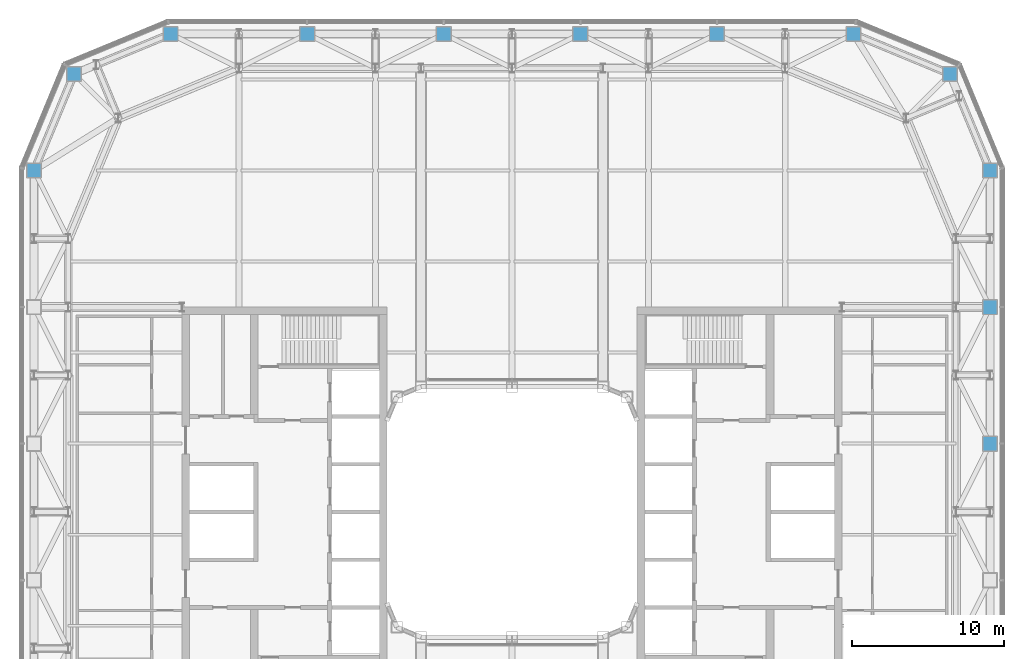
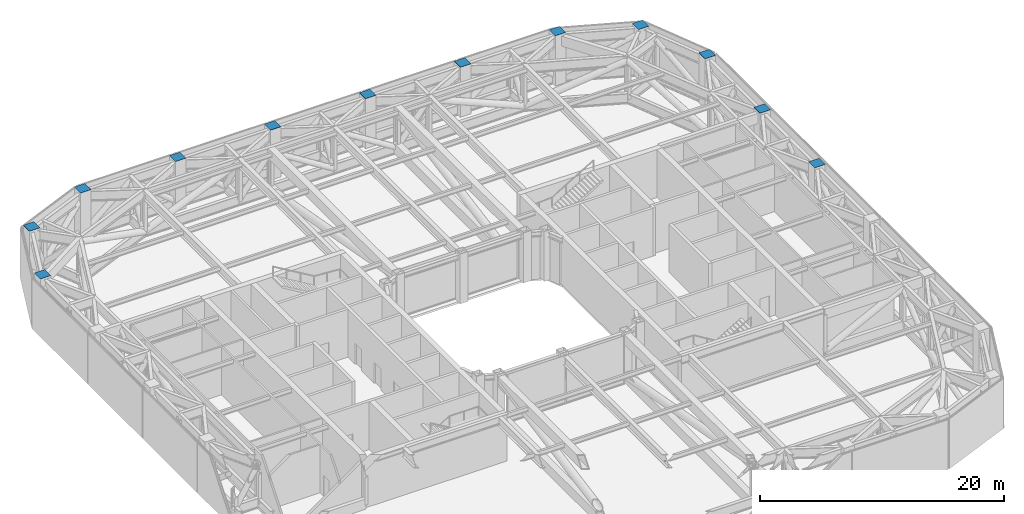
# One storey, part 19 of 33: 12 discrete accessories.
"""IFC4 building model written with IfcOpenShell, lengths in metres."""

from ifc_helpers import new_model, si_unit, direction, frame, origin, origin_2d, place, context, subcontext, project, spatial, rectangle, extrude, material, layer, layer_set, type_object, element, save


model = new_model("IFC4")

# Units and contexts
model_context = context("Model", 3, precision=1e-05, world=origin(), true_north=direction((0.0, 1.0)))
body_context = subcontext(model_context, "Body", "Model", "MODEL_VIEW")
ifc_project = project(units=[si_unit("LENGTHUNIT", "METRE"), si_unit("AREAUNIT", "SQUARE_METRE"), si_unit("VOLUMEUNIT", "CUBIC_METRE"), si_unit("PLANEANGLEUNIT", "RADIAN"), si_unit("MASSUNIT", "GRAM", prefix="KILO")], contexts=[model_context])

# Site, building, storey
site_placement = place(None, origin())
site = spatial("IfcSite", under=ifc_project, at=site_placement, CompositionType="ELEMENT")
building_placement = place(site_placement, origin())
building = spatial("IfcBuilding", under=site, at=building_placement, Name="Siwar Civic Tower", CompositionType="ELEMENT")
storey_placement = place(building_placement, frame((0.0, 0.0, 94.199951171875)))
storey = spatial("IfcBuildingStorey", under=building, at=storey_placement, Name="L20", CompositionType="ELEMENT", Elevation=94.199951171875)

# Discrete accessories
ifc_material = material(Name="Steel S355", Category="steel")
ifc_layer = layer(ifc_material, 0.02001953125)
ifc_layer_set = layer_set([ifc_layer], Name="Steel S355")
discrete_accessory_type = type_object("IfcDiscreteAccessoryType", Name="STR-END-CAP", PredefinedType="USERDEFINED", material=ifc_layer_set)
for number, where, z_axis, x_axis, name in (
    (1, (31.5, 4.5, 5.0), (0.0, 0.0, 1.0), (1.0, 0.0, 0.0), "End cap plate L20 col E-3"),
    (2, (31.5, 13.5, 5.0), (0.0, 0.0, 1.0), (1.0, 0.0, 0.0), "End cap plate L20 col E-4"),
    (3, (31.5, 22.5, 5.0), (0.0, 0.0, 1.0), (1.0, 0.0, 0.0), "End cap plate L20 col NE1-0"),
    (4, (28.864013671875, 28.864013671875, 5.0), (0.0, 0.0, 1.0), (1.0, 0.0, 0.0), "End cap plate L20 col NE2-0"),
    (5, (22.5, 31.5, 5.0), (0.0, 0.0, 1.0), (1.0, 0.0, 0.0), "End cap plate L20 col N-0"),
    (6, (13.5, 31.5, 5.0), (0.0, 0.0, 1.0), (1.0, 0.0, 0.0), "End cap plate L20 col N-1"),
    (7, (4.5, 31.5, 5.0), (0.0, 0.0, 1.0), (1.0, 0.0, 0.0), "End cap plate L20 col N-2"),
    (8, (-4.5, 31.5, 5.0), (0.0, 0.0, 1.0), (1.0, 0.0, 0.0), "End cap plate L20 col N-3"),
    (9, (-13.5, 31.5, 5.0), (0.0, 0.0, 1.0), (1.0, 0.0, 0.0), "End cap plate L20 col N-4"),
    (10, (-22.5, 31.5, 5.0), (0.0, 0.0, 1.0), (1.0, 0.0, 0.0), "End cap plate L20 col NW1-0"),
    (11, (-28.864013671875, 28.864013671875, 5.0), (0.0, 0.0, 1.0), (1.0, 0.0, 0.0), "End cap plate L20 col NW2-0"),
    (12, (-31.5, 22.5, 5.0), (0.0, 0.0, 1.0), (1.0, 0.0, 0.0), "End cap plate L20 col W-0"),
):
    element("IfcDiscreteAccessory", number, at=place(storey_placement, frame(where, z_axis=z_axis, x_axis=x_axis)), inside=storey, type_object=discrete_accessory_type, Name=name, ObjectType="END CAP PLATE", PredefinedType="USERDEFINED", context=body_context, shape_type="SweptSolid", body=[
        extrude(rectangle(XDim=1.0, YDim=1.0, at=origin_2d()), origin(), (0.0, 0.0, 1.0), 0.02001953125),
    ])

save(model, "model.ifc")
